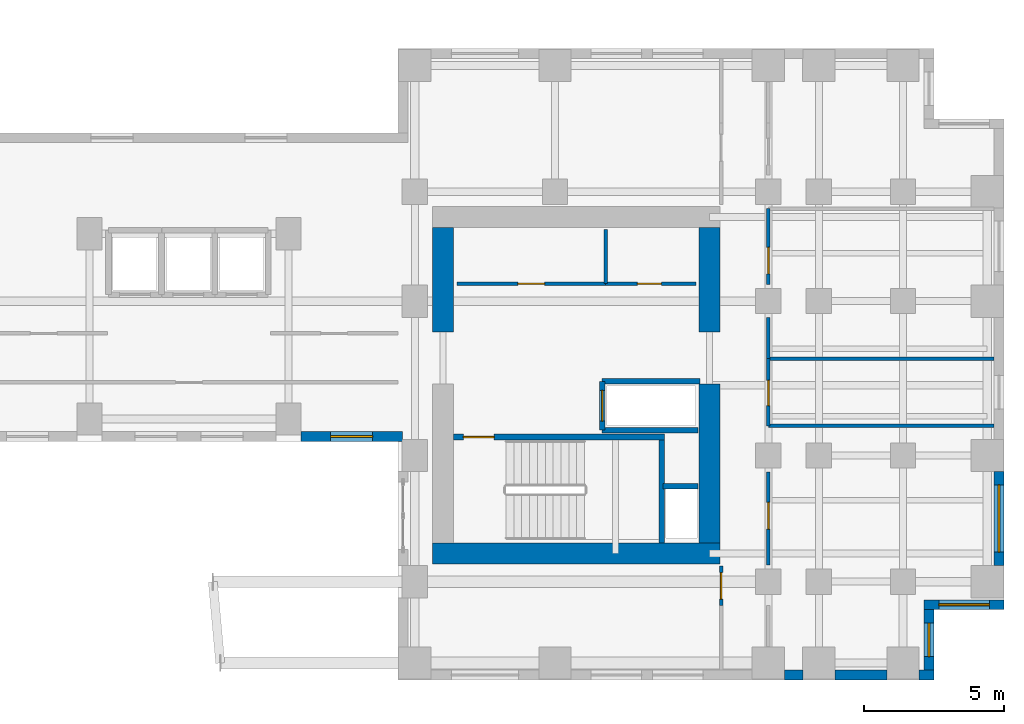
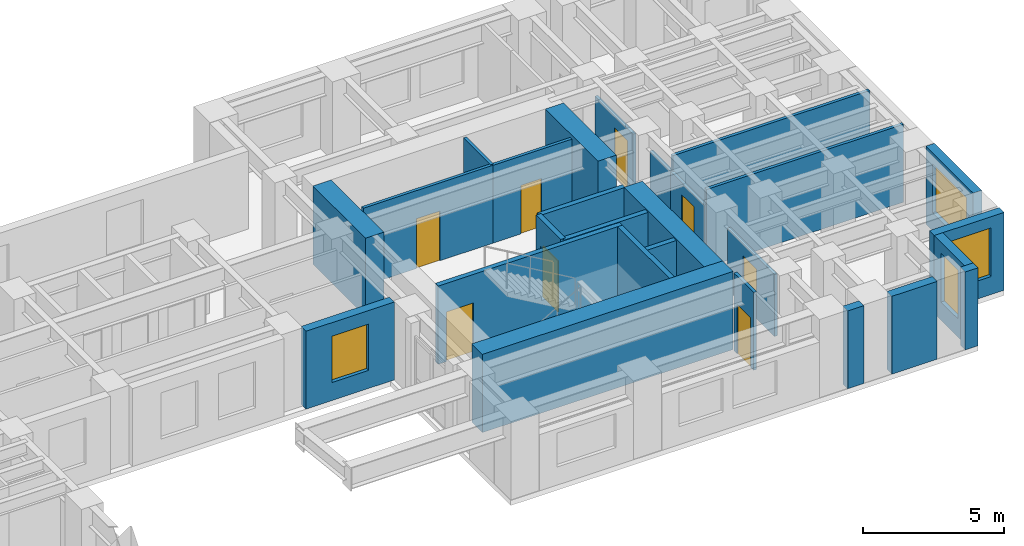
# One storey, part 10 of 14: 27 walls, 8 doors, 4 windows, 12 openings.
"""IFC4 building model written with IfcOpenShell, lengths in metres."""

from ifc_helpers import new_model, si_unit, direction, frame, frame_2d, origin, place, context, subcontext, project, spatial, rectangle, extrude, source, transform, mapped, material, layer, layer_set, type_object, element, fill, save


model = new_model("IFC4")

# Units and contexts
model_context = context("Model", 3, precision=1e-05, world=origin(), true_north=direction((0.0, 1.0)))
body_context = subcontext(model_context, "Body", "Model", "MODEL_VIEW")
ifc_project = project(units=[si_unit("LENGTHUNIT", "METRE"), si_unit("AREAUNIT", "SQUARE_METRE"), si_unit("VOLUMEUNIT", "CUBIC_METRE"), si_unit("PLANEANGLEUNIT", "RADIAN"), si_unit("MASSUNIT", "GRAM", prefix="KILO")], contexts=[model_context])

# Site, building, storey
site_placement = place(None, origin())
site = spatial("IfcSite", under=ifc_project, at=site_placement, CompositionType="ELEMENT")
building_placement = place(site_placement, origin())
building = spatial("IfcBuilding", under=site, at=building_placement, Name="Kharzan Plaza Tower", CompositionType="ELEMENT")
storey_placement = place(building_placement, frame((0.0, 0.0, 131.39990234375)))
storey = spatial("IfcBuildingStorey", under=building, at=storey_placement, Name="L35", CompositionType="ELEMENT", Elevation=131.39990234375)

# Wall, opening, window
ifc_material_1 = material(Name="Concrete C40/50", Category="concrete")
ifc_layer_1 = layer(ifc_material_1, 0.35009765625)
ifc_layer_set_1 = layer_set([ifc_layer_1], Name="Concrete C40/50")
wall_type_1 = type_object("IfcWallType", Name="WL-EXT-MAS-Z2", PredefinedType="SOLIDWALL", material=ifc_layer_set_1)
wall_1_placement = place(storey_placement, frame((30.947998046875, 8.675048828125, 0.0), z_axis=(0.0, 0.0, 1.0), x_axis=(1.0, 0.0, 0.0)))
wall_1 = element("IfcWall", 1, at=wall_1_placement, inside=storey, type_object=wall_type_1, Name="L35 Masonry-Frame Exterior Wall 36", PredefinedType="SOLIDWALL", context=body_context, shape_type="SweptSolid", body=[
    extrude(rectangle(XDim=3.60400390625, YDim=0.35009765625, at=frame_2d((1.802001953125, 0.0))), origin(), (0.0, 0.0, 1.0), 3.364990234375),
])
opening_1_placement = place(wall_1_placement, frame((1.052001953125, 0.0, 0.780029296875)))
opening_1 = element("IfcOpeningElement", 2, at=opening_1_placement, cuts=wall_1, Name="Opening W5", PredefinedType="OPENING", context=body_context, shape_type="SweptSolid", body=[
    extrude(rectangle(XDim=1.5, YDim=2.0, at=frame_2d((0.75, 1.0))), frame((0.0, 0.18505859375, 0.0), z_axis=(0.0, -1.0, 0.0), x_axis=(1.0, 0.0, 0.0)), (0.0, 0.0, 1.0), 0.3701171875),
])
ifc_material_2 = material(Name="Low-E Double Glazing", Category="glass")
window_type_1 = type_object("IfcWindowType", Name="WN-SLT-1500x2000", PartitioningType="SINGLE_PANEL", PredefinedType="WINDOW", material=ifc_material_2)
shared_shape_1 = source(origin(), body_context, "Body", "SweptSolid", [
    extrude(rectangle(XDim=1.5, YDim=2.0, at=frame_2d((0.75, 1.0))), frame((0.0, 0.030029296875, 0.0), z_axis=(0.0, -1.0, 0.0), x_axis=(1.0, 0.0, 0.0)), (0.0, 0.0, 1.0), 0.06005859375),
])
window_1_placement = place(opening_1_placement, origin())
window_1 = element("IfcWindow", 3, at=window_1_placement, inside=storey, type_object=window_type_1, Name="L35 Recessed Solar-Control Window 36-1", OverallHeight=2.0, OverallWidth=1.5, PartitioningType="SINGLE_PANEL", PredefinedType="WINDOW", context=body_context, shape_type="MappedRepresentation", body=[
    mapped(shared_shape_1, transform((0.0, 0.0, 0.0), x_axis=(1.0, 0.0, 0.0), y_axis=(0.0, 1.0, 0.0), z_axis=(0.0, 0.0, 1.0))),
])
fill(opening_1, window_1)

wall_2_placement = place(storey_placement, frame((53.324951171875, 0.347900390625, 0.0), z_axis=(0.0, 0.0, 1.0), x_axis=(0.0, 1.0, 0.0)))
wall_2 = element("IfcWall", 4, at=wall_2_placement, inside=storey, type_object=wall_type_1, Name="L35 Masonry-Frame Exterior Wall 45", PredefinedType="SOLIDWALL", context=body_context, shape_type="SweptSolid", body=[
    extrude(rectangle(XDim=2.154052734375, YDim=0.35009765625, at=frame_2d((1.0771484375, 0.0))), origin(), (0.0, 0.0, 1.0), 3.364990234375),
])
opening_2_placement = place(wall_2_placement, frame((0.47705078125, 0.0, 0.780029296875)))
opening_2 = element("IfcOpeningElement", 5, at=opening_2_placement, cuts=wall_2, Name="Opening W3", PredefinedType="OPENING", context=body_context, shape_type="SweptSolid", body=[
    extrude(rectangle(XDim=1.199951171875, YDim=2.10009765625, at=frame_2d((0.60009765625, 1.050048828125))), frame((0.0, 0.18505859375, 0.0), z_axis=(0.0, -1.0, 0.0), x_axis=(1.0, 0.0, 0.0)), (0.0, 0.0, 1.0), 0.3701171875),
])
window_type_2 = type_object("IfcWindowType", Name="WN-REC-1200x2100", PartitioningType="SINGLE_PANEL", PredefinedType="WINDOW", material=ifc_material_2)
shared_shape_2 = source(origin(), body_context, "Body", "SweptSolid", [
    extrude(rectangle(XDim=1.199951171875, YDim=2.10009765625, at=frame_2d((0.60009765625, 1.050048828125))), frame((0.0, 0.030029296875, 0.0), z_axis=(0.0, -1.0, 0.0), x_axis=(1.0, 0.0, 0.0)), (0.0, 0.0, 1.0), 0.06005859375),
])
window_2_placement = place(opening_2_placement, origin())
window_2 = element("IfcWindow", 6, at=window_2_placement, inside=storey, type_object=window_type_2, Name="L35 Recessed Solar-Control Window 45-1", OverallHeight=2.10009765625, OverallWidth=1.199951171875, PartitioningType="SINGLE_PANEL", PredefinedType="WINDOW", context=body_context, shape_type="MappedRepresentation", body=[
    mapped(shared_shape_2, transform((0.0, 0.0, 0.0), x_axis=(1.0, 0.0, 0.0), y_axis=(0.0, 1.0, 0.0), z_axis=(0.0, 0.0, 1.0))),
])
fill(opening_2, window_2)

wall_3_placement = place(storey_placement, frame((53.14990234375, 2.675048828125, 0.0), z_axis=(0.0, 0.0, 1.0), x_axis=(1.0, 0.0, 0.0)))
wall_3 = element("IfcWall", 7, at=wall_3_placement, inside=storey, type_object=wall_type_1, Name="L35 Masonry-Frame Exterior Wall 46", PredefinedType="SOLIDWALL", context=body_context, shape_type="SweptSolid", body=[
    extrude(rectangle(XDim=2.85009765625, YDim=0.35009765625, at=frame_2d((1.425048828125, 0.0))), origin(), (0.0, 0.0, 1.0), 3.364990234375),
])
opening_3_placement = place(wall_3_placement, frame((0.52490234375, 0.0, 0.780029296875)))
opening_3 = element("IfcOpeningElement", 8, at=opening_3_placement, cuts=wall_3, Name="Opening W1", PredefinedType="OPENING", context=body_context, shape_type="SweptSolid", body=[
    extrude(rectangle(XDim=1.800048828125, YDim=2.10009765625, at=frame_2d((0.89990234375, 1.050048828125))), frame((0.0, 0.18505859375, 0.0), z_axis=(0.0, -1.0, 0.0), x_axis=(1.0, 0.0, 0.0)), (0.0, 0.0, 1.0), 0.3701171875),
])
window_type_3 = type_object("IfcWindowType", Name="WN-REC-1800x2100", PartitioningType="SINGLE_PANEL", PredefinedType="WINDOW", material=ifc_material_2)
shared_shape_3 = source(origin(), body_context, "Body", "SweptSolid", [
    extrude(rectangle(XDim=1.800048828125, YDim=2.10009765625, at=frame_2d((0.89990234375, 1.050048828125))), frame((0.0, 0.030029296875, 0.0), z_axis=(0.0, -1.0, 0.0), x_axis=(1.0, 0.0, 0.0)), (0.0, 0.0, 1.0), 0.06005859375),
])
window_3_placement = place(opening_3_placement, origin())
window_3 = element("IfcWindow", 9, at=window_3_placement, inside=storey, type_object=window_type_3, Name="L35 Recessed Solar-Control Window 46-1", OverallHeight=2.10009765625, OverallWidth=1.800048828125, PartitioningType="SINGLE_PANEL", PredefinedType="WINDOW", context=body_context, shape_type="MappedRepresentation", body=[
    mapped(shared_shape_3, transform((0.0, 0.0, 0.0), x_axis=(1.0, 0.0, 0.0), y_axis=(0.0, 1.0, 0.0), z_axis=(0.0, 0.0, 1.0))),
])
fill(opening_3, window_3)

wall_4_placement = place(storey_placement, frame((55.824951171875, 4.072998046875, 0.0), z_axis=(0.0, 0.0, 1.0), x_axis=(0.0, 1.0, 0.0)))
wall_4 = element("IfcWall", 10, at=wall_4_placement, inside=storey, type_object=wall_type_1, Name="L35 Masonry-Frame Exterior Wall 47", PredefinedType="SOLIDWALL", context=body_context, shape_type="SweptSolid", body=[
    extrude(rectangle(XDim=3.35400390625, YDim=0.35009765625, at=frame_2d((1.677001953125, 0.0))), origin(), (0.0, 0.0, 1.0), 3.364990234375),
])
opening_4_placement = place(wall_4_placement, frame((0.47705078125, 0.0, 0.780029296875)))
opening_4 = element("IfcOpeningElement", 11, at=opening_4_placement, cuts=wall_4, Name="Opening W2", PredefinedType="OPENING", context=body_context, shape_type="SweptSolid", body=[
    extrude(rectangle(XDim=2.39990234375, YDim=2.10009765625, at=frame_2d((1.199951171875, 1.050048828125))), frame((0.0, 0.18505859375, 0.0), z_axis=(0.0, -1.0, 0.0), x_axis=(1.0, 0.0, 0.0)), (0.0, 0.0, 1.0), 0.3701171875),
])
window_type_4 = type_object("IfcWindowType", Name="WN-REC-2400x2100", PartitioningType="SINGLE_PANEL", PredefinedType="WINDOW", material=ifc_material_2)
shared_shape_4 = source(origin(), body_context, "Body", "SweptSolid", [
    extrude(rectangle(XDim=2.39990234375, YDim=2.10009765625, at=frame_2d((1.199951171875, 1.050048828125))), frame((0.0, 0.030029296875, 0.0), z_axis=(0.0, -1.0, 0.0), x_axis=(1.0, 0.0, 0.0)), (0.0, 0.0, 1.0), 0.06005859375),
])
window_4_placement = place(opening_4_placement, origin())
window_4 = element("IfcWindow", 12, at=window_4_placement, inside=storey, type_object=window_type_4, Name="L35 Wide Recessed Solar-Control Window 47-1", OverallHeight=2.10009765625, OverallWidth=2.39990234375, PartitioningType="SINGLE_PANEL", PredefinedType="WINDOW", context=body_context, shape_type="MappedRepresentation", body=[
    mapped(shared_shape_4, transform((0.0, 0.0, 0.0), x_axis=(1.0, 0.0, 0.0), y_axis=(0.0, 1.0, 0.0), z_axis=(0.0, 0.0, 1.0))),
])
fill(opening_4, window_4)

# Wall, opening, door
ifc_material_3 = material(Name="Fire-Rated Gypsum Board Partition", Category="gypsum")
ifc_layer_2 = layer(ifc_material_3, 0.125)
ifc_layer_set_2 = layer_set([ifc_layer_2], Name="Fire-Rated Gypsum Board Partition")
wall_type_2 = type_object("IfcWallType", Name="WL-INT-PART-125", PredefinedType="PARTITIONING", material=ifc_layer_set_2)
wall_5_placement = place(storey_placement, frame((36.5, 14.1201171875, 0.0), z_axis=(0.0, 0.0, 1.0), x_axis=(1.0, 0.0, 0.0)))
wall_5 = element("IfcWall", 13, at=wall_5_placement, inside=storey, type_object=wall_type_2, Name="L35 Interior Partition CB-RBLSA", PredefinedType="PARTITIONING", context=body_context, shape_type="SweptSolid", body=[
    extrude(rectangle(XDim=5.300048828125, YDim=0.125, at=frame_2d((2.64990234375, 0.0))), origin(), (0.0, 0.0, 1.0), 3.364990234375),
])
opening_5_placement = place(wall_5_placement, frame((2.175048828125, 0.0, 0.0)))
opening_5 = element("IfcOpeningElement", 14, at=opening_5_placement, cuts=wall_5, Name="Opening OD1", PredefinedType="OPENING", context=body_context, shape_type="SweptSolid", body=[
    extrude(rectangle(XDim=0.949951171875, YDim=2.14990234375, at=frame_2d((0.47509765625, 1.074951171875))), frame((0.0, 0.072509765625, 0.0), z_axis=(0.0, -1.0, 0.0), x_axis=(1.0, 0.0, 0.0)), (0.0, 0.0, 1.0), 0.14501953125),
])
ifc_material_4 = material(Name="Acoustic Solid-Core Stained Oak", Category="timber")
door_type_1 = type_object("IfcDoorType", Name="DR-OFF-SINGLE", OperationType="NOTDEFINED", PredefinedType="DOOR", material=ifc_material_4)
shared_shape_5 = source(origin(), body_context, "Body", "SweptSolid", [
    extrude(rectangle(XDim=0.949951171875, YDim=2.14990234375, at=frame_2d((0.47509765625, 1.074951171875))), frame((0.0, 0.02490234375, 0.0), z_axis=(0.0, -1.0, 0.0), x_axis=(1.0, 0.0, 0.0)), (0.0, 0.0, 1.0), 0.050048828125),
])
door_1_placement = place(opening_5_placement, origin())
door_1 = element("IfcDoor", 15, at=door_1_placement, inside=storey, type_object=door_type_1, Name="L35 Records Room Door", OperationType="SINGLE_SWING_RIGHT", OverallHeight=2.14990234375, OverallWidth=0.949951171875, PredefinedType="DOOR", context=body_context, shape_type="MappedRepresentation", body=[
    mapped(shared_shape_5, transform((0.0, 0.0, 0.0), x_axis=(1.0, 0.0, 0.0), y_axis=(0.0, 1.0, 0.0), z_axis=(0.0, 0.0, 1.0))),
])
fill(opening_5, door_1)

wall_6_placement = place(storey_placement, frame((41.800048828125, 14.1201171875, 0.0), z_axis=(0.0, 0.0, 1.0), x_axis=(1.0, 0.0, 0.0)))
wall_6 = element("IfcWall", 16, at=wall_6_placement, inside=storey, type_object=wall_type_2, Name="L35 Interior Partition CB-RBLSB", PredefinedType="PARTITIONING", context=body_context, shape_type="SweptSolid", body=[
    extrude(rectangle(XDim=3.219970703125, YDim=0.125, at=frame_2d((1.60986328125, 0.0))), origin(), (0.0, 0.0, 1.0), 3.364990234375),
])
opening_6_placement = place(wall_6_placement, frame((1.135009765625, 0.0, 0.0)))
opening_6 = element("IfcOpeningElement", 17, at=opening_6_placement, cuts=wall_6, Name="Opening RD1", PredefinedType="OPENING", context=body_context, shape_type="SweptSolid", body=[
    extrude(rectangle(XDim=0.85009765625, YDim=2.10009765625, at=frame_2d((0.425048828125, 1.050048828125))), frame((0.0, 0.072509765625, 0.0), z_axis=(0.0, -1.0, 0.0), x_axis=(1.0, 0.0, 0.0)), (0.0, 0.0, 1.0), 0.14501953125),
])
ifc_material_5 = material(Name="Powder-Coated Fire-Rated Steel", Category="steel")
door_type_2 = type_object("IfcDoorType", Name="DR-RISER-900", OperationType="NOTDEFINED", PredefinedType="DOOR", material=ifc_material_5)
shared_shape_6 = source(origin(), body_context, "Body", "SweptSolid", [
    extrude(rectangle(XDim=0.85009765625, YDim=2.10009765625, at=frame_2d((0.425048828125, 1.050048828125))), frame((0.0, 0.02490234375, 0.0), z_axis=(0.0, -1.0, 0.0), x_axis=(1.0, 0.0, 0.0)), (0.0, 0.0, 1.0), 0.050048828125),
])
door_2_placement = place(opening_6_placement, origin())
door_2 = element("IfcDoor", 18, at=door_2_placement, inside=storey, type_object=door_type_2, Name="L35 Housekeeping Store Door", OperationType="SINGLE_SWING_LEFT", OverallHeight=2.10009765625, OverallWidth=0.85009765625, PredefinedType="DOOR", context=body_context, shape_type="MappedRepresentation", body=[
    mapped(shared_shape_6, transform((0.0, 0.0, 0.0), x_axis=(1.0, 0.0, 0.0), y_axis=(0.0, 1.0, 0.0), z_axis=(0.0, 0.0, 1.0))),
])
fill(opening_6, door_2)

wall_7_placement = place(storey_placement, frame((47.60009765625, 4.090087890625, 0.0), z_axis=(0.0, 0.0, 1.0), x_axis=(0.0, 1.0, 0.0)))
wall_7 = element("IfcWall", 19, at=wall_7_placement, inside=storey, type_object=wall_type_2, Name="L35 Interior Partition SH-B1W0", PredefinedType="PARTITIONING", context=body_context, shape_type="SweptSolid", body=[
    extrude(rectangle(XDim=3.31982421875, YDim=0.125, at=frame_2d((1.659912109375, 0.0))), origin(), (0.0, 0.0, 1.0), 2.677001953125),
])
opening_7_placement = place(wall_7_placement, frame((1.284912109375, 0.0, 0.0)))
opening_7 = element("IfcOpeningElement", 20, at=opening_7_placement, cuts=wall_7, Name="Opening OD1", PredefinedType="OPENING", context=body_context, shape_type="SweptSolid", body=[
    extrude(rectangle(XDim=0.949951171875, YDim=2.14990234375, at=frame_2d((0.47509765625, 1.074951171875))), frame((0.0, 0.072509765625, 0.0), z_axis=(0.0, -1.0, 0.0), x_axis=(1.0, 0.0, 0.0)), (0.0, 0.0, 1.0), 0.14501953125),
])
door_3_placement = place(opening_7_placement, origin())
door_3 = element("IfcDoor", 21, at=door_3_placement, inside=storey, type_object=door_type_1, Name="L35 Wing B South Studio Door", OperationType="SINGLE_SWING_LEFT", OverallHeight=2.14990234375, OverallWidth=0.949951171875, PredefinedType="DOOR", context=body_context, shape_type="MappedRepresentation", body=[
    mapped(shared_shape_5, transform((0.0, 0.0, 0.0), x_axis=(1.0, 0.0, 0.0), y_axis=(0.0, 1.0, 0.0), z_axis=(0.0, 0.0, 1.0))),
])
fill(opening_7, door_3)

wall_8_placement = place(storey_placement, frame((47.60009765625, 14.090087890625, 0.0), z_axis=(0.0, 0.0, 1.0), x_axis=(0.0, 1.0, 0.0)))
wall_8 = element("IfcWall", 22, at=wall_8_placement, inside=storey, type_object=wall_type_2, Name="L35 Interior Partition SH-B1W1-S2", PredefinedType="PARTITIONING", context=body_context, shape_type="SweptSolid", body=[
    extrude(rectangle(XDim=2.7099609375, YDim=0.125, at=frame_2d((1.35498046875, 0.0))), origin(), (0.0, 0.0, 1.0), 2.677001953125),
])
opening_8_placement = place(wall_8_placement, frame((0.3798828125, 0.0, 0.0)))
opening_8 = element("IfcOpeningElement", 23, at=opening_8_placement, cuts=wall_8, Name="Opening OD1", PredefinedType="OPENING", context=body_context, shape_type="SweptSolid", body=[
    extrude(rectangle(XDim=0.949951171875, YDim=2.14990234375, at=frame_2d((0.47509765625, 1.074951171875))), frame((0.0, 0.072509765625, 0.0), z_axis=(0.0, -1.0, 0.0), x_axis=(1.0, 0.0, 0.0)), (0.0, 0.0, 1.0), 0.14501953125),
])
door_4_placement = place(opening_8_placement, origin())
door_4 = element("IfcDoor", 24, at=door_4_placement, inside=storey, type_object=door_type_1, Name="L35 Wing B Mid Office Door", OperationType="SINGLE_SWING_RIGHT", OverallHeight=2.14990234375, OverallWidth=0.949951171875, PredefinedType="DOOR", context=body_context, shape_type="MappedRepresentation", body=[
    mapped(shared_shape_5, transform((0.0, 0.0, 0.0), x_axis=(1.0, 0.0, 0.0), y_axis=(0.0, 1.0, 0.0), z_axis=(0.0, 0.0, 1.0))),
])
fill(opening_8, door_4)

wall_9_placement = place(storey_placement, frame((47.60009765625, 9.050048828125, 0.0), z_axis=(0.0, 0.0, 1.0), x_axis=(0.0, 1.0, 0.0)))
wall_9 = element("IfcWall", 25, at=wall_9_placement, inside=storey, type_object=wall_type_2, Name="L35 Interior Partition SH-B1WC", PredefinedType="PARTITIONING", context=body_context, shape_type="SweptSolid", body=[
    extrude(rectangle(XDim=2.39990234375, YDim=0.125, at=frame_2d((1.199951171875, 0.0))), origin(), (0.0, 0.0, 1.0), 2.677001953125),
])
opening_9_placement = place(wall_9_placement, frame((0.72509765625, 0.0, 0.0)))
opening_9 = element("IfcOpeningElement", 26, at=opening_9_placement, cuts=wall_9, Name="Opening WD1", PredefinedType="OPENING", context=body_context, shape_type="SweptSolid", body=[
    extrude(rectangle(XDim=0.89990234375, YDim=2.14990234375, at=frame_2d((0.449951171875, 1.074951171875))), frame((0.0, 0.072509765625, 0.0), z_axis=(0.0, -1.0, 0.0), x_axis=(1.0, 0.0, 0.0)), (0.0, 0.0, 1.0), 0.14501953125),
])
ifc_material_6 = material(Name="Moisture-Resistant Fire-Rated Laminate", Category="timber")
door_type_3 = type_object("IfcDoorType", Name="DR-WC-900", OperationType="NOTDEFINED", PredefinedType="DOOR", material=ifc_material_6)
shared_shape_7 = source(origin(), body_context, "Body", "SweptSolid", [
    extrude(rectangle(XDim=0.89990234375, YDim=2.14990234375, at=frame_2d((0.449951171875, 1.074951171875))), frame((0.0, 0.02490234375, 0.0), z_axis=(0.0, -1.0, 0.0), x_axis=(1.0, 0.0, 0.0)), (0.0, 0.0, 1.0), 0.050048828125),
])
door_5_placement = place(opening_9_placement, origin())
door_5 = element("IfcDoor", 27, at=door_5_placement, inside=storey, type_object=door_type_3, Name="L35 Wing B Washroom Door", OperationType="SINGLE_SWING_RIGHT", OverallHeight=2.14990234375, OverallWidth=0.89990234375, PredefinedType="DOOR", context=body_context, shape_type="MappedRepresentation", body=[
    mapped(shared_shape_7, transform((0.0, 0.0, 0.0), x_axis=(1.0, 0.0, 0.0), y_axis=(0.0, 1.0, 0.0), z_axis=(0.0, 0.0, 1.0))),
])
fill(opening_9, door_5)

wall_10_placement = place(storey_placement, frame((45.919921875, 2.64990234375, 0.0), z_axis=(0.0, 0.0, 1.0), x_axis=(0.0, 1.0, 0.0)))
wall_10 = element("IfcWall", 28, at=wall_10_placement, inside=storey, type_object=wall_type_2, Name="L35 Interior Partition SH-RBSE", PredefinedType="PARTITIONING", context=body_context, shape_type="SweptSolid", body=[
    extrude(rectangle(XDim=1.400146484375, YDim=0.125, at=frame_2d((0.7001953125, 0.0))), origin(), (0.0, 0.0, 1.0), 3.364990234375),
])
opening_10_placement = place(wall_10_placement, frame((0.22509765625, 0.0, 0.0)))
opening_10 = element("IfcOpeningElement", 29, at=opening_10_placement, cuts=wall_10, Name="Opening OD1", PredefinedType="OPENING", context=body_context, shape_type="SweptSolid", body=[
    extrude(rectangle(XDim=0.949951171875, YDim=2.14990234375, at=frame_2d((0.47509765625, 1.074951171875))), frame((0.0, 0.072509765625, 0.0), z_axis=(0.0, -1.0, 0.0), x_axis=(1.0, 0.0, 0.0)), (0.0, 0.0, 1.0), 0.14501953125),
])
door_6_placement = place(opening_10_placement, origin())
door_6 = element("IfcDoor", 30, at=door_6_placement, inside=storey, type_object=door_type_1, Name="L35 South-East Corner Office Door", OperationType="SINGLE_SWING_LEFT", OverallHeight=2.14990234375, OverallWidth=0.949951171875, PredefinedType="DOOR", context=body_context, shape_type="MappedRepresentation", body=[
    mapped(shared_shape_5, transform((0.0, 0.0, 0.0), x_axis=(1.0, 0.0, 0.0), y_axis=(0.0, 1.0, 0.0), z_axis=(0.0, 0.0, 1.0))),
])
fill(opening_10, door_6)

ifc_layer_3 = layer(ifc_material_1, 0.199951171875)
ifc_layer_set_3 = layer_set([ifc_layer_3], Name="Concrete C40/50")
wall_type_3 = type_object("IfcWallType", Name="WL-INT-SHAFT-200", PredefinedType="PARTITIONING", material=ifc_layer_set_3)
wall_11_placement = place(storey_placement, frame((41.679931640625, 8.89990234375, 0.0), z_axis=(0.0, 0.0, 1.0), x_axis=(0.0, 1.0, 0.0)))
wall_11 = element("IfcWall", 31, at=wall_11_placement, inside=storey, type_object=wall_type_3, Name="L35 Interior Partition SHF-SVL-2-W", PredefinedType="PARTITIONING", context=body_context, shape_type="SweptSolid", body=[
    extrude(rectangle(XDim=1.739990234375, YDim=0.199951171875, at=frame_2d((0.8701171875, 0.0))), origin(), (0.0, 0.0, 1.0), 3.364990234375),
])
opening_11_placement = place(wall_11_placement, frame((0.320068359375, 0.0, 0.0)))
opening_11 = element("IfcOpeningElement", 32, at=opening_11_placement, cuts=wall_11, Name="Opening LD", PredefinedType="OPENING", context=body_context, shape_type="SweptSolid", body=[
    extrude(rectangle(XDim=1.10009765625, YDim=2.199951171875, at=frame_2d((0.550048828125, 1.10009765625))), frame((0.0, 0.10986328125, 0.0), z_axis=(0.0, -1.0, 0.0), x_axis=(1.0, 0.0, 0.0)), (0.0, 0.0, 1.0), 0.219970703125),
])
ifc_material_7 = material(Name="Brushed Stainless Steel", Category="steel")
door_type_4 = type_object("IfcDoorType", Name="DR-LIFT-SLIDE", OperationType="SLIDING_TO_LEFT", PredefinedType="DOOR", material=ifc_material_7)
shared_shape_8 = source(origin(), body_context, "Body", "SweptSolid", [
    extrude(rectangle(XDim=1.10009765625, YDim=2.199951171875, at=frame_2d((0.550048828125, 1.10009765625))), frame((0.0, 0.02490234375, 0.0), z_axis=(0.0, -1.0, 0.0), x_axis=(1.0, 0.0, 0.0)), (0.0, 0.0, 1.0), 0.050048828125),
])
door_7_placement = place(opening_11_placement, origin())
door_7 = element("IfcDoor", 33, at=door_7_placement, inside=storey, type_object=door_type_4, Name="L35 Service Lift SVL-2 Sliding Landing Door", OperationType="SLIDING_TO_LEFT", OverallHeight=2.199951171875, OverallWidth=1.10009765625, PredefinedType="DOOR", context=body_context, shape_type="MappedRepresentation", body=[
    mapped(shared_shape_8, transform((0.0, 0.0, 0.0), x_axis=(1.0, 0.0, 0.0), y_axis=(0.0, 1.0, 0.0), z_axis=(0.0, 0.0, 1.0))),
])
fill(opening_11, door_7)

ifc_material_8 = material(Name="Concrete C50/60", Category="concrete")
ifc_layer_4 = layer(ifc_material_8, 0.199951171875)
ifc_layer_set_4 = layer_set([ifc_layer_4], Name="Concrete C50/60")
wall_type_4 = type_object("IfcWallType", Name="WL-SHAFT-RC200", PredefinedType="SHEAR", material=ifc_layer_set_4)
wall_12_placement = place(storey_placement, frame((36.376953125, 8.655029296875, 0.0), z_axis=(0.0, 0.0, 1.0), x_axis=(1.0, 0.0, 0.0)))
wall_12 = element("IfcWall", 34, at=wall_12_placement, inside=storey, type_object=wall_type_4, Name="L35 Stair ST-3 North RC Shaft Wall", PredefinedType="SHEAR", context=body_context, shape_type="SweptSolid", body=[
    extrude(rectangle(XDim=7.528076171875, YDim=0.199951171875, at=frame_2d((3.76416015625, 0.0))), origin(), (0.0, 0.0, 1.0), 3.380126953125),
])
opening_12_placement = place(wall_12_placement, frame((0.35009765625, 0.0, 0.0)))
opening_12 = element("IfcOpeningElement", 35, at=opening_12_placement, cuts=wall_12, Name="Opening SD1", PredefinedType="OPENING", context=body_context, shape_type="SweptSolid", body=[
    extrude(rectangle(XDim=1.10009765625, YDim=2.14990234375, at=frame_2d((0.550048828125, 1.074951171875))), frame((0.0, 0.10986328125, 0.0), z_axis=(0.0, -1.0, 0.0), x_axis=(1.0, 0.0, 0.0)), (0.0, 0.0, 1.0), 0.219970703125),
])
ifc_material_9 = material(Name="Fire-Rated Hollow Galvanized Steel", Category="steel")
door_type_5 = type_object("IfcDoorType", Name="DR-STAIR-FD120", OperationType="NOTDEFINED", PredefinedType="DOOR", material=ifc_material_9)
shared_shape_9 = source(origin(), body_context, "Body", "SweptSolid", [
    extrude(rectangle(XDim=1.10009765625, YDim=2.14990234375, at=frame_2d((0.550048828125, 1.074951171875))), frame((0.0, 0.02490234375, 0.0), z_axis=(0.0, -1.0, 0.0), x_axis=(1.0, 0.0, 0.0)), (0.0, 0.0, 1.0), 0.050048828125),
])
door_8_placement = place(opening_12_placement, origin())
door_8 = element("IfcDoor", 36, at=door_8_placement, inside=storey, type_object=door_type_5, Name="L35 Stair ST-3 Fire Exit Door", OperationType="SINGLE_SWING_LEFT", OverallHeight=2.14990234375, OverallWidth=1.10009765625, PredefinedType="DOOR", context=body_context, shape_type="MappedRepresentation", body=[
    mapped(shared_shape_9, transform((0.0, 0.0, 0.0), x_axis=(1.0, 0.0, 0.0), y_axis=(0.0, 1.0, 0.0), z_axis=(0.0, 0.0, 1.0))),
])
fill(opening_12, door_8)

# Walls
shared_shape_10 = source(origin(), body_context, "Body", "SweptSolid", [
    extrude(rectangle(XDim=3.489990234375, YDim=0.199951171875, at=frame_2d((1.7451171875, 0.0))), origin(), (0.0, 0.0, 1.0), 3.364990234375),
])
wall_13_placement = place(storey_placement, frame((41.679931640625, 10.639892578125, 0.0), z_axis=(0.0, 0.0, 1.0), x_axis=(1.0, 0.0, 0.0)))
element("IfcWall", 37, at=wall_13_placement, inside=storey, type_object=wall_type_3, Name="L35 Interior Partition SHF-SVL-2-N", PredefinedType="PARTITIONING", context=body_context, shape_type="MappedRepresentation", body=[
    mapped(shared_shape_10, transform((0.0, 0.0, 0.0), x_axis=(1.0, 0.0, 0.0), y_axis=(0.0, 1.0, 0.0), z_axis=(0.0, 0.0, 1.0))),
])
ifc_material_10 = material(Name="Concrete C60/75", Category="concrete")
ifc_layer_5 = layer(ifc_material_10, 0.75)
ifc_layer_set_5 = layer_set([ifc_layer_5], Name="Concrete C60/75")
wall_type_5 = type_object("IfcWallType", Name="WL-CORE-750", PredefinedType="SHEAR", material=ifc_layer_set_5)
shared_shape_11 = source(origin(), body_context, "Body", "SweptSolid", [
    extrude(rectangle(XDim=5.675048828125, YDim=0.75, at=frame_2d((2.83740234375, 0.0))), origin(), (0.0, 0.0, 1.0), 3.380126953125),
])
wall_14_placement = place(storey_placement, frame((45.5, 4.875, 0.0), z_axis=(0.0, 0.0, 1.0), x_axis=(0.0, 1.0, 0.0)))
element("IfcWall", 38, at=wall_14_placement, inside=storey, type_object=wall_type_5, Name="L35 CORE-B east shear pier 1", PredefinedType="SHEAR", context=body_context, shape_type="MappedRepresentation", body=[
    mapped(shared_shape_11, transform((0.0, 0.0, 0.0), x_axis=(1.0, 0.0, 0.0), y_axis=(0.0, 1.0, 0.0), z_axis=(0.0, 0.0, 1.0))),
])
shared_shape_12 = source(origin(), body_context, "Body", "SweptSolid", [
    extrude(rectangle(XDim=3.72509765625, YDim=0.75, at=frame_2d((1.862548828125, 0.0))), origin(), (0.0, 0.0, 1.0), 3.380126953125),
])
for number, where, z_axis, x_axis, name in (
    (39, (45.5, 12.39990234375, 0.0), (0.0, 0.0, 1.0), (0.0, 1.0, 0.0), "L35 CORE-B east shear pier 2"),
    (40, (36.0, 12.39990234375, 0.0), (0.0, 0.0, 1.0), (0.0, 1.0, 0.0), "L35 CORE-B west shear pier 2"),
):
    element("IfcWall", number, at=place(storey_placement, frame(where, z_axis=z_axis, x_axis=x_axis)), inside=storey, type_object=wall_type_5, Name=name, PredefinedType="SHEAR", context=body_context, shape_type="MappedRepresentation", body=[
        mapped(shared_shape_12, transform((0.0, 0.0, 0.0), x_axis=(1.0, 0.0, 0.0), y_axis=(0.0, 1.0, 0.0), z_axis=(0.0, 0.0, 1.0))),
    ])
shared_shape_13 = source(origin(), body_context, "Body", "SweptSolid", [
    extrude(rectangle(XDim=10.25, YDim=0.75, at=frame_2d((5.125, 0.0))), origin(), (0.0, 0.0, 1.0), 3.380126953125),
])
wall_15_placement = place(storey_placement, frame((35.625, 4.5, 0.0), z_axis=(0.0, 0.0, 1.0), x_axis=(1.0, 0.0, 0.0)))
element("IfcWall", 41, at=wall_15_placement, inside=storey, type_object=wall_type_5, Name="L35 CORE-B south RC shear wall", PredefinedType="SHEAR", context=body_context, shape_type="MappedRepresentation", body=[
    mapped(shared_shape_13, transform((0.0, 0.0, 0.0), x_axis=(1.0, 0.0, 0.0), y_axis=(0.0, 1.0, 0.0), z_axis=(0.0, 0.0, 1.0))),
])
shared_shape_14 = source(origin(), body_context, "Body", "SweptSolid", [
    extrude(rectangle(XDim=0.65380859375, YDim=0.35009765625, at=frame_2d((0.326904296875, 0.0))), origin(), (0.0, 0.0, 1.0), 3.364990234375),
])
wall_16_placement = place(storey_placement, frame((48.173095703125, 0.175048828125, 0.0), z_axis=(0.0, 0.0, 1.0), x_axis=(1.0, 0.0, 0.0)))
element("IfcWall", 42, at=wall_16_placement, inside=storey, type_object=wall_type_1, Name="L35 Masonry-Frame Exterior Wall 42", PredefinedType="SOLIDWALL", context=body_context, shape_type="MappedRepresentation", body=[
    mapped(shared_shape_14, transform((0.0, 0.0, 0.0), x_axis=(1.0, 0.0, 0.0), y_axis=(0.0, 1.0, 0.0), z_axis=(0.0, 0.0, 1.0))),
])
shared_shape_15 = source(origin(), body_context, "Body", "SweptSolid", [
    extrude(rectangle(XDim=1.85400390625, YDim=0.35009765625, at=frame_2d((0.927001953125, 0.0))), origin(), (0.0, 0.0, 1.0), 3.364990234375),
])
wall_17_placement = place(storey_placement, frame((49.972900390625, 0.175048828125, 0.0), z_axis=(0.0, 0.0, 1.0), x_axis=(1.0, 0.0, 0.0)))
element("IfcWall", 43, at=wall_17_placement, inside=storey, type_object=wall_type_1, Name="L35 Masonry-Frame Exterior Wall 43", PredefinedType="SOLIDWALL", context=body_context, shape_type="MappedRepresentation", body=[
    mapped(shared_shape_15, transform((0.0, 0.0, 0.0), x_axis=(1.0, 0.0, 0.0), y_axis=(0.0, 1.0, 0.0), z_axis=(0.0, 0.0, 1.0))),
])
shared_shape_16 = source(origin(), body_context, "Body", "SweptSolid", [
    extrude(rectangle(XDim=0.527099609375, YDim=0.35009765625, at=frame_2d((0.263671875, 0.0))), origin(), (0.0, 0.0, 1.0), 3.364990234375),
])
wall_18_placement = place(storey_placement, frame((52.972900390625, 0.175048828125, 0.0), z_axis=(0.0, 0.0, 1.0), x_axis=(1.0, 0.0, 0.0)))
element("IfcWall", 44, at=wall_18_placement, inside=storey, type_object=wall_type_1, Name="L35 Masonry-Frame Exterior Wall 44", PredefinedType="SOLIDWALL", context=body_context, shape_type="MappedRepresentation", body=[
    mapped(shared_shape_16, transform((0.0, 0.0, 0.0), x_axis=(1.0, 0.0, 0.0), y_axis=(0.0, 1.0, 0.0), z_axis=(0.0, 0.0, 1.0))),
])
shared_shape_17 = source(origin(), body_context, "Body", "SweptSolid", [
    extrude(rectangle(XDim=8.0478515625, YDim=0.125, at=frame_2d((4.02392578125, 0.0))), origin(), (0.0, 0.0, 1.0), 3.364990234375),
])
for number, where, z_axis, x_axis, name in (
    (45, (47.60009765625, 11.449951171875, 0.0), (0.0, 0.0, 1.0), (1.0, 0.0, 0.0), "L35 Interior Partition SH-B1H-118"),
    (46, (47.60009765625, 9.050048828125, 0.0), (0.0, 0.0, 1.0), (1.0, 0.0, 0.0), "L35 Interior Partition SH-B1H-90"),
):
    element("IfcWall", number, at=place(storey_placement, frame(where, z_axis=z_axis, x_axis=x_axis)), inside=storey, type_object=wall_type_2, Name=name, PredefinedType="PARTITIONING", context=body_context, shape_type="MappedRepresentation", body=[
        mapped(shared_shape_17, transform((0.0, 0.0, 0.0), x_axis=(1.0, 0.0, 0.0), y_axis=(0.0, 1.0, 0.0), z_axis=(0.0, 0.0, 1.0))),
    ])
shared_shape_18 = source(origin(), body_context, "Body", "SweptSolid", [
    extrude(rectangle(XDim=1.244873046875, YDim=0.199951171875, at=frame_2d((0.62255859375, 0.0))), origin(), (0.0, 0.0, 1.0), 3.364990234375),
])
wall_19_placement = place(storey_placement, frame((43.85009765625, 6.89990234375, 0.0), z_axis=(0.0, 0.0, 1.0), x_axis=(1.0, 0.0, 0.0)))
element("IfcWall", 47, at=wall_19_placement, inside=storey, type_object=wall_type_3, Name="L35 Interior Partition CB-RSRB-N", PredefinedType="PARTITIONING", context=body_context, shape_type="MappedRepresentation", body=[
    mapped(shared_shape_18, transform((0.0, 0.0, 0.0), x_axis=(1.0, 0.0, 0.0), y_axis=(0.0, 1.0, 0.0), z_axis=(0.0, 0.0, 1.0))),
])
shared_shape_19 = source(origin(), body_context, "Body", "SweptSolid", [
    extrude(rectangle(XDim=3.4150390625, YDim=0.199951171875, at=frame_2d((1.70751953125, 0.0))), origin(), (0.0, 0.0, 1.0), 3.364990234375),
])
wall_20_placement = place(storey_placement, frame((41.679931640625, 8.89990234375, 0.0), z_axis=(0.0, 0.0, 1.0), x_axis=(1.0, 0.0, 0.0)))
element("IfcWall", 48, at=wall_20_placement, inside=storey, type_object=wall_type_3, Name="L35 Interior Partition SHF-SVL-2-S", PredefinedType="PARTITIONING", context=body_context, shape_type="MappedRepresentation", body=[
    mapped(shared_shape_19, transform((0.0, 0.0, 0.0), x_axis=(1.0, 0.0, 0.0), y_axis=(0.0, 1.0, 0.0), z_axis=(0.0, 0.0, 1.0))),
])
shared_shape_20 = source(origin(), body_context, "Body", "SweptSolid", [
    extrude(rectangle(XDim=3.677978515625, YDim=0.199951171875, at=frame_2d((1.8388671875, 0.0))), origin(), (0.0, 0.0, 1.0), 3.380126953125),
])
wall_21_placement = place(storey_placement, frame((43.804931640625, 4.876953125, 0.0), z_axis=(0.0, 0.0, 1.0), x_axis=(0.0, 1.0, 0.0)))
element("IfcWall", 49, at=wall_21_placement, inside=storey, type_object=wall_type_4, Name="L35 Stair ST-3 East RC Shaft Wall", PredefinedType="SHEAR", context=body_context, shape_type="MappedRepresentation", body=[
    mapped(shared_shape_20, transform((0.0, 0.0, 0.0), x_axis=(1.0, 0.0, 0.0), y_axis=(0.0, 1.0, 0.0), z_axis=(0.0, 0.0, 1.0))),
])
shared_shape_21 = source(origin(), body_context, "Body", "SweptSolid", [
    extrude(rectangle(XDim=1.4599609375, YDim=0.125, at=frame_2d((0.72998046875, 0.0))), origin(), (0.0, 0.0, 1.0), 2.677001953125),
])
wall_22_placement = place(storey_placement, frame((47.60009765625, 11.449951171875, 0.0), z_axis=(0.0, 0.0, 1.0), x_axis=(0.0, 1.0, 0.0)))
element("IfcWall", 50, at=wall_22_placement, inside=storey, type_object=wall_type_2, Name="L35 Interior Partition SH-B1W1-S1", PredefinedType="PARTITIONING", context=body_context, shape_type="MappedRepresentation", body=[
    mapped(shared_shape_21, transform((0.0, 0.0, 0.0), x_axis=(1.0, 0.0, 0.0), y_axis=(0.0, 1.0, 0.0), z_axis=(0.0, 0.0, 1.0))),
])
shared_shape_22 = source(origin(), body_context, "Body", "SweptSolid", [
    extrude(rectangle(XDim=1.929931640625, YDim=0.125, at=frame_2d((0.96484375, 0.0))), origin(), (0.0, 0.0, 1.0), 3.364990234375),
])
wall_23_placement = place(storey_placement, frame((41.800048828125, 14.1201171875, 0.0), z_axis=(0.0, 0.0, 1.0), x_axis=(0.0, 1.0, 0.0)))
element("IfcWall", 51, at=wall_23_placement, inside=storey, type_object=wall_type_2, Name="L35 Interior Partition CB-RBLM2", PredefinedType="PARTITIONING", context=body_context, shape_type="MappedRepresentation", body=[
    mapped(shared_shape_22, transform((0.0, 0.0, 0.0), x_axis=(1.0, 0.0, 0.0), y_axis=(0.0, 1.0, 0.0), z_axis=(0.0, 0.0, 1.0))),
])

save(model, "model.ifc")
